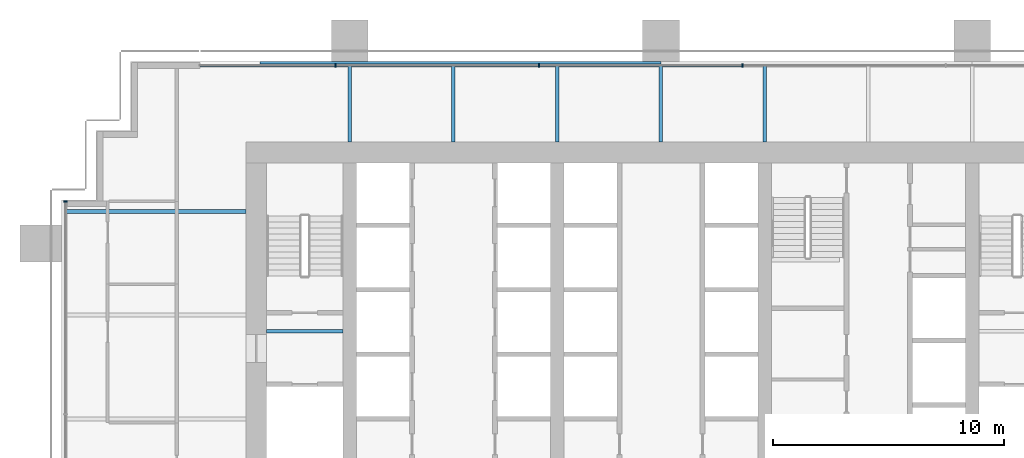
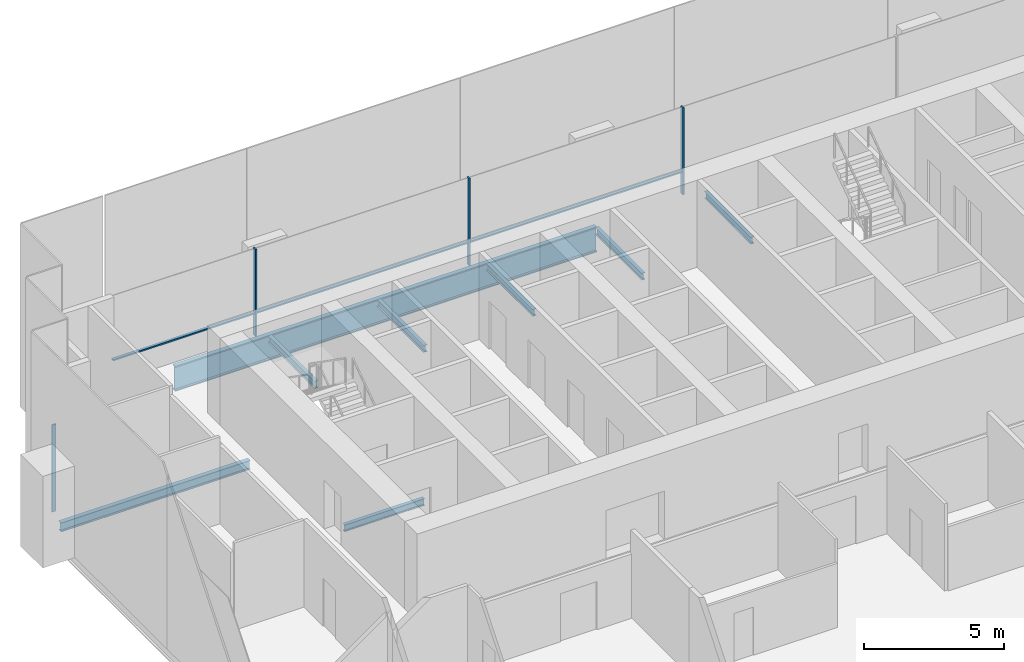
# One storey, part 8 of 19: 8 beams, 7 members, 2 elements without a shape of their own.
"""IFC4 building model written with IfcOpenShell, lengths in metres."""

from ifc_helpers import new_model, si_unit, direction, frame, origin, origin_2d, place, context, subcontext, project, spatial, rectangle, i_section, extrude, material, material_profile, profile_set, type_object, element, aggregate, save


model = new_model("IFC4")

# Units and contexts
model_context = context("Model", 3, precision=1e-05, world=origin(), true_north=direction((0.0, 1.0)))
body_context = subcontext(model_context, "Body", "Model", "MODEL_VIEW")
ifc_project = project(units=[si_unit("LENGTHUNIT", "METRE"), si_unit("AREAUNIT", "SQUARE_METRE"), si_unit("VOLUMEUNIT", "CUBIC_METRE"), si_unit("PLANEANGLEUNIT", "RADIAN"), si_unit("MASSUNIT", "GRAM", prefix="KILO")], contexts=[model_context])

# Site, building, storey
site_placement = place(None, origin())
site = spatial("IfcSite", under=ifc_project, at=site_placement, CompositionType="ELEMENT")
building_placement = place(site_placement, origin())
building = spatial("IfcBuilding", under=site, at=building_placement, Name="Rattan Terrace Tower", CompositionType="ELEMENT")
storey_placement = place(building_placement, frame((0.0, 0.0, 79.699951171875)))
storey = spatial("IfcBuildingStorey", under=building, at=storey_placement, Name="L17", CompositionType="ELEMENT", Elevation=79.699951171875)

# Curtain wall, members
ifc_material_1 = material(Name="Aluminium and glass", Category="aluminium")
curtain_wall_type = type_object("IfcCurtainWallType", Name="Facade Unitised Curtain Wall", PredefinedType="NOTDEFINED", material=ifc_material_1)
curtain_wall_1_placement = place(storey_placement, origin())
curtain_wall_1 = element("IfcCurtainWall", 1, at=curtain_wall_1_placement, inside=storey, type_object=curtain_wall_type, Name="Curtain wall L17-2", PredefinedType="NOTDEFINED")
ifc_material_2 = material(Name="Aluminium", Category="aluminium")
ifc_material_profile_1 = material_profile(ifc_material_2, rectangle(XDim=0.06005859375, YDim=0.159912109375, at=origin_2d()), Name="Aluminium 60x160")
ifc_profile_set_1 = profile_set([ifc_material_profile_1], Name="Aluminium")
member_type_1 = type_object("IfcMemberType", Name="Facade CW Mullion 60x160", PredefinedType="MULLION", material=ifc_profile_set_1)
member_1_placement = place(storey_placement, frame((3.531005859375, 10.830078125, 0.0), z_axis=(0.0, 0.0, 1.0), x_axis=(-1.0, 0.0, 0.0)))
member_1 = element("IfcMember", 2, at=member_1_placement, type_object=member_type_1, Name="Mullion cwl-L17-002.4", PredefinedType="MULLION", context=body_context, shape_type="SweptSolid", body=[
    extrude(rectangle(XDim=0.06005859375, YDim=0.159912109375, at=origin_2d()), origin(), (0.0, 0.0, 1.0), 3.800048828125),
])
member_2_placement = place(storey_placement, frame((-5.2919921875, 10.830078125, 0.0), z_axis=(0.0, 0.0, 1.0), x_axis=(-1.0, 0.0, 0.0)))
member_2 = element("IfcMember", 3, at=member_2_placement, type_object=member_type_1, Name="Mullion cwl-L17-002.5", PredefinedType="MULLION", context=body_context, shape_type="SweptSolid", body=[
    extrude(rectangle(XDim=0.06005859375, YDim=0.159912109375, at=origin_2d()), origin(), (0.0, 0.0, 1.0), 3.800048828125),
])
member_3_placement = place(storey_placement, frame((-14.114990234375, 10.830078125, 0.0), z_axis=(0.0, 0.0, 1.0), x_axis=(-1.0, 0.0, 0.0)))
member_3 = element("IfcMember", 4, at=member_3_placement, type_object=member_type_1, Name="Mullion cwl-L17-002.6", PredefinedType="MULLION", context=body_context, shape_type="SweptSolid", body=[
    extrude(rectangle(XDim=0.06005859375, YDim=0.159912109375, at=origin_2d()), origin(), (0.0, 0.0, 1.0), 3.800048828125),
])

# Curtain wall, member
curtain_wall_2_placement = place(storey_placement, origin())
curtain_wall_2 = element("IfcCurtainWall", 5, at=curtain_wall_2_placement, inside=storey, type_object=curtain_wall_type, Name="Curtain wall L17-3", PredefinedType="NOTDEFINED")
member_4_placement = place(storey_placement, frame((-25.830078125, 4.925048828125, 0.0), z_axis=(0.0, 0.0, 1.0), x_axis=(0.0, -1.0, 0.0)))
member_4 = element("IfcMember", 6, at=member_4_placement, type_object=member_type_1, Name="Mullion cwl-L17-003.1", PredefinedType="MULLION", context=body_context, shape_type="SweptSolid", body=[
    extrude(rectangle(XDim=0.06005859375, YDim=0.159912109375, at=origin_2d()), origin(), (0.0, 0.0, 1.0), 3.800048828125),
])
aggregate(curtain_wall_2, [member_4])

# Member
ifc_material_3 = material(Name="Aluminium", Category="aluminium")
ifc_material_profile_2 = material_profile(ifc_material_3, rectangle(XDim=0.1201171875, YDim=0.06005859375, at=origin_2d()), Name="Aluminium 120x60")
ifc_profile_set_2 = profile_set([ifc_material_profile_2], Name="Aluminium")
member_type_2 = type_object("IfcMemberType", Name="Facade CW Transom 120x60", PredefinedType="USERDEFINED", material=ifc_profile_set_2)
member_5_placement = place(storey_placement, frame((3.5009765625, 10.830078125, 1.0), z_axis=(-1.0, 0.0, 0.0), x_axis=(0.0, -1.0, 0.0)))
member_5 = element("IfcMember", 7, at=member_5_placement, type_object=member_type_2, Name="Transom cwl-L17-002.4", ObjectType="TRANSOM", PredefinedType="USERDEFINED", context=body_context, shape_type="SweptSolid", body=[
    extrude(rectangle(XDim=0.1201171875, YDim=0.06005859375, at=origin_2d()), origin(), (0.0, 0.0, 1.0), 8.762939453125),
])

member_6_placement = place(storey_placement, frame((-5.322021484375, 10.830078125, 1.0), z_axis=(-1.0, 0.0, 0.0), x_axis=(0.0, -1.0, 0.0)))
member_6 = element("IfcMember", 8, at=member_6_placement, type_object=member_type_2, Name="Transom cwl-L17-002.5", ObjectType="TRANSOM", PredefinedType="USERDEFINED", context=body_context, shape_type="SweptSolid", body=[
    extrude(rectangle(XDim=0.1201171875, YDim=0.06005859375, at=origin_2d()), origin(), (0.0, 0.0, 1.0), 8.762939453125),
])

member_7_placement = place(storey_placement, frame((-14.14501953125, 10.830078125, 1.0), z_axis=(-1.0, 0.0, 0.0), x_axis=(0.0, -1.0, 0.0)))
member_7 = element("IfcMember", 9, at=member_7_placement, type_object=member_type_2, Name="Transom cwl-L17-002.6", ObjectType="TRANSOM", PredefinedType="USERDEFINED", context=body_context, shape_type="SweptSolid", body=[
    extrude(rectangle(XDim=0.1201171875, YDim=0.06005859375, at=origin_2d()), origin(), (0.0, 0.0, 1.0), 5.85498046875),
])

aggregate(curtain_wall_1, [member_1, member_2, member_3, member_5, member_6, member_7])

# Beams
ifc_material_4 = material(Name="Steel S460", Category="steel")
ifc_material_profile_3 = material_profile(ifc_material_4, i_section(OverallWidth=0.179931640625, OverallDepth=1.10009765625, WebThickness=0.01611328125, FlangeThickness=0.050048828125, at=origin_2d()), Name="PG 1100x180-16-50")
ifc_profile_set_3 = profile_set([ifc_material_profile_3], Name="Steel S460")
beam_type_1 = type_object("IfcBeamType", Name="Frame edge girder PG 1100x180-16-50", PredefinedType="SPANDREL", material=ifc_profile_set_3)
beam_1_placement = place(storey_placement, frame((-17.39990234375, 10.909912109375, -0.75), z_axis=(1.0, 0.0, 0.0), x_axis=(0.0, 1.0, 0.0)))
element("IfcBeam", 10, at=beam_1_placement, inside=storey, type_object=beam_type_1, Name="gdr-L17-006", PredefinedType="SPANDREL", context=body_context, shape_type="SweptSolid", body=[
    extrude(i_section(OverallWidth=0.179931640625, OverallDepth=1.10009765625, WebThickness=0.01611328125, FlangeThickness=0.050048828125, at=origin_2d()), origin(), (0.0, 0.0, 1.0), 17.39990234375),
])
ifc_material_5 = material(Name="Steel S355", Category="steel")
ifc_material_profile_4 = material_profile(ifc_material_5, i_section(OverallWidth=0.14990234375, OverallDepth=0.300048828125, WebThickness=0.007080078125, FlangeThickness=0.0107421875, FilletRadius=0.014892578125, at=origin_2d()), Name="IPE 300")
ifc_profile_set_4 = profile_set([ifc_material_profile_4], Name="Steel S355")
beam_type_2 = type_object("IfcBeamType", Name="Frame floor beam IPE 300", PredefinedType="JOIST", material=ifc_profile_set_4)
beam_2_placement = place(storey_placement, frame((-17.10009765625, -0.695068359375, -0.349853515625), z_axis=(1.0, 0.0, 0.0), x_axis=(0.0, 1.0, 0.0)))
element("IfcBeam", 11, at=beam_2_placement, inside=storey, type_object=beam_type_2, Name="bm-L17-001", PredefinedType="JOIST", context=body_context, shape_type="SweptSolid", body=[
    extrude(i_section(OverallWidth=0.14990234375, OverallDepth=0.300048828125, WebThickness=0.007080078125, FlangeThickness=0.0107421875, FilletRadius=0.014892578125, at=origin_2d()), origin(), (0.0, 0.0, 1.0), 3.300048828125),
])
for number, where, z_axis, x_axis, name in (
    (12, (-13.5, 7.5, -0.349853515625), (0.0, 1.0, 0.0), (-1.0, 0.0, 0.0), "bm-L17-018"),
    (13, (-9.0, 7.5, -0.349853515625), (0.0, 1.0, 0.0), (-1.0, 0.0, 0.0), "bm-L17-019"),
    (14, (-4.5, 7.5, -0.349853515625), (0.0, 1.0, 0.0), (-1.0, 0.0, 0.0), "bm-L17-020"),
    (15, (0.0, 7.5, -0.349853515625), (0.0, 1.0, 0.0), (-1.0, 0.0, 0.0), "bm-L17-021"),
    (16, (4.5, 7.5, -0.349853515625), (0.0, 1.0, 0.0), (-1.0, 0.0, 0.0), "bm-L17-022"),
):
    element("IfcBeam", number, at=place(storey_placement, frame(where, z_axis=z_axis, x_axis=x_axis)), inside=storey, type_object=beam_type_2, Name=name, PredefinedType="JOIST", context=body_context, shape_type="SweptSolid", body=[
        extrude(i_section(OverallWidth=0.14990234375, OverallDepth=0.300048828125, WebThickness=0.007080078125, FlangeThickness=0.0107421875, FilletRadius=0.014892578125, at=origin_2d()), origin(), (0.0, 0.0, 1.0), 3.320068359375),
    ])
ifc_material_6 = material(Name="Steel S355", Category="steel")
ifc_material_profile_5 = material_profile(ifc_material_6, i_section(OverallWidth=0.179931640625, OverallDepth=0.39990234375, WebThickness=0.008544921875, FlangeThickness=0.013427734375, FilletRadius=0.02099609375, at=origin_2d()), Name="IPE 400")
ifc_profile_set_5 = profile_set([ifc_material_profile_5], Name="Steel S355")
beam_type_3 = type_object("IfcBeamType", Name="Frame floor beam IPE 400", PredefinedType="JOIST", material=ifc_profile_set_5)
beam_3_placement = place(storey_placement, frame((-25.820068359375, 4.5, -0.39990234375), z_axis=(1.0, 0.0, 0.0), x_axis=(0.0, 1.0, 0.0)))
element("IfcBeam", 17, at=beam_3_placement, inside=storey, type_object=beam_type_3, Name="bm-L17-016", PredefinedType="JOIST", context=body_context, shape_type="SweptSolid", body=[
    extrude(i_section(OverallWidth=0.179931640625, OverallDepth=0.39990234375, WebThickness=0.008544921875, FlangeThickness=0.013427734375, FilletRadius=0.02099609375, at=origin_2d()), origin(), (0.0, 0.0, 1.0), 7.820068359375),
])

save(model, "model.ifc")
